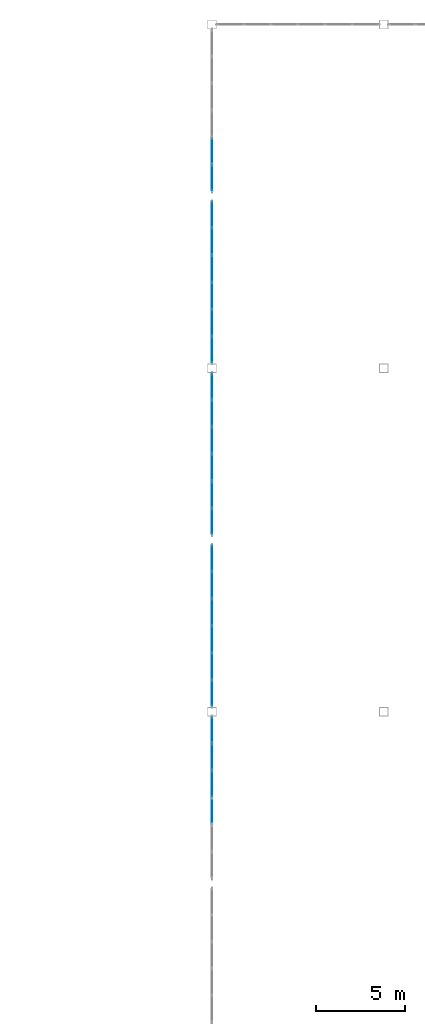
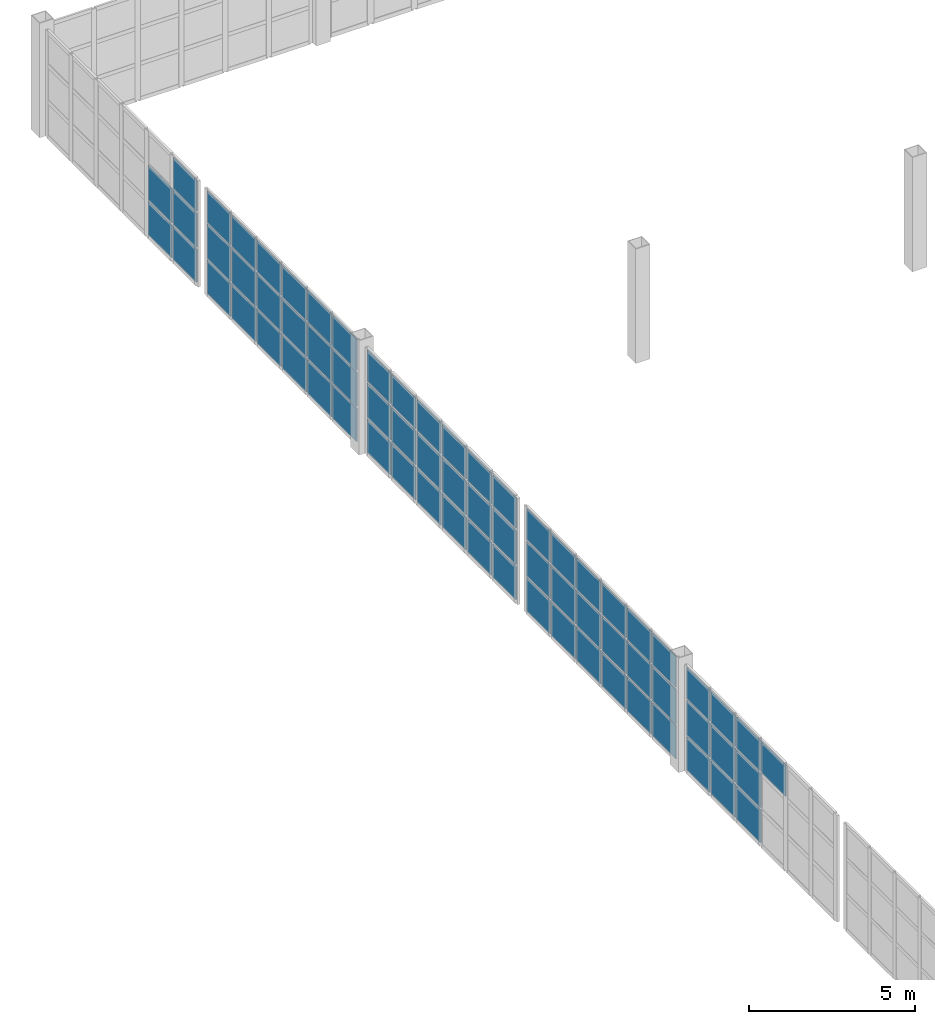
# One storey, part 55 of 82: 69 plates, 5 elements without a shape of their own.
"""IFC4 building model written with IfcOpenShell, lengths in metres."""

from ifc_helpers import new_model, si_unit, direction, frame, origin, origin_2d, place, context, subcontext, project, spatial, rectangle, extrude, material, layer, layer_set, type_object, element, aggregate, save


model = new_model("IFC4")

# Units and contexts
model_context = context("Model", 3, precision=1e-05, world=origin(), true_north=direction((0.0, 1.0)))
body_context = subcontext(model_context, "Body", "Model", "MODEL_VIEW")
ifc_project = project(units=[si_unit("LENGTHUNIT", "METRE"), si_unit("AREAUNIT", "SQUARE_METRE"), si_unit("VOLUMEUNIT", "CUBIC_METRE"), si_unit("PLANEANGLEUNIT", "RADIAN"), si_unit("MASSUNIT", "GRAM", prefix="KILO")], contexts=[model_context])

# Site, building, storey
site_placement = place(None, origin())
site = spatial("IfcSite", under=ifc_project, at=site_placement, CompositionType="ELEMENT")
building_placement = place(site_placement, origin())
building = spatial("IfcBuilding", under=site, at=building_placement, Name="Zarnetskaya Central Station", CompositionType="ELEMENT")
storey_placement = place(building_placement, frame((0.0, 0.0, 10.199951171875)))
storey = spatial("IfcBuildingStorey", under=building, at=storey_placement, Name="L02", CompositionType="ELEMENT", Elevation=10.199951171875)

# Curtain wall, plates
ifc_material = material(Name="Low-E insulated glass", Category="glass")
ifc_layer_1 = layer(ifc_material, 0.1640625, Name="Low-E insulated glass", Category="glass")
ifc_layer_set_1 = layer_set([ifc_layer_1], Name="Low-E insulated glass")
curtain_wall_type = type_object("IfcCurtainWallType", Name="CW-SYS-12", PredefinedType="USERDEFINED", material=ifc_layer_set_1)
curtain_wall_1_placement = place(storey_placement, origin())
curtain_wall_1 = element("IfcCurtainWall", 1, at=curtain_wall_1_placement, inside=storey, type_object=curtain_wall_type, Name="Curtain wall CW-L02-165", ObjectType="CURTAIN WALL", PredefinedType="USERDEFINED")
ifc_layer_2 = layer(ifc_material, 0.028076171875, Name="Low-E insulated glass", Category="glass")
ifc_layer_set_2 = layer_set([ifc_layer_2], Name="Low-E insulated glass")
plate_type_1 = type_object("IfcPlateType", Name="CW-PAN-28", PredefinedType="CURTAIN_PANEL", material=ifc_layer_set_2)
plate_1_placement = place(storey_placement, frame((57.60009765625, 87.42578125, 0.0703125), z_axis=(0.0, 0.0, 1.0), x_axis=(0.0, 1.0, 0.0)))
plate_1 = element("IfcPlate", 2, at=plate_1_placement, type_object=plate_type_1, Name="CW-18 panel 1.1", PredefinedType="CURTAIN_PANEL", context=body_context, shape_type="SweptSolid", body=[
    extrude(rectangle(XDim=1.41162109375, YDim=0.028076171875, at=origin_2d()), origin(), (0.0, 0.0, 1.0), 1.220947265625),
])
plate_2_placement = place(storey_placement, frame((57.60009765625, 87.42578125, 1.36083984375), z_axis=(0.0, 0.0, 1.0), x_axis=(0.0, 1.0, 0.0)))
plate_2 = element("IfcPlate", 3, at=plate_2_placement, type_object=plate_type_1, Name="CW-18 panel 1.2", PredefinedType="CURTAIN_PANEL", context=body_context, shape_type="SweptSolid", body=[
    extrude(rectangle(XDim=1.41162109375, YDim=0.028076171875, at=origin_2d()), origin(), (0.0, 0.0, 1.0), 1.256103515625),
])
plate_3_placement = place(storey_placement, frame((57.60009765625, 87.42578125, 2.68701171875), z_axis=(0.0, 0.0, 1.0), x_axis=(0.0, 1.0, 0.0)))
plate_3 = element("IfcPlate", 4, at=plate_3_placement, type_object=plate_type_1, Name="CW-18 panel 1.3", PredefinedType="CURTAIN_PANEL", context=body_context, shape_type="SweptSolid", body=[
    extrude(rectangle(XDim=1.41162109375, YDim=0.028076171875, at=origin_2d()), origin(), (0.0, 0.0, 1.0), 1.14306640625),
])
plate_4_placement = place(storey_placement, frame((57.60009765625, 88.925048828125, 0.0703125), z_axis=(0.0, 0.0, 1.0), x_axis=(0.0, 1.0, 0.0)))
plate_4 = element("IfcPlate", 5, at=plate_4_placement, type_object=plate_type_1, Name="CW-18 panel 2.1", PredefinedType="CURTAIN_PANEL", context=body_context, shape_type="SweptSolid", body=[
    extrude(rectangle(XDim=1.44677734375, YDim=0.028076171875, at=origin_2d()), origin(), (0.0, 0.0, 1.0), 1.220947265625),
])
plate_5_placement = place(storey_placement, frame((57.60009765625, 88.925048828125, 1.36083984375), z_axis=(0.0, 0.0, 1.0), x_axis=(0.0, 1.0, 0.0)))
plate_5 = element("IfcPlate", 6, at=plate_5_placement, type_object=plate_type_1, Name="CW-18 panel 2.2", PredefinedType="CURTAIN_PANEL", context=body_context, shape_type="SweptSolid", body=[
    extrude(rectangle(XDim=1.44677734375, YDim=0.028076171875, at=origin_2d()), origin(), (0.0, 0.0, 1.0), 1.256103515625),
])
plate_6_placement = place(storey_placement, frame((57.60009765625, 88.925048828125, 2.68701171875), z_axis=(0.0, 0.0, 1.0), x_axis=(0.0, 1.0, 0.0)))
plate_6 = element("IfcPlate", 7, at=plate_6_placement, type_object=plate_type_1, Name="CW-18 panel 2.3", PredefinedType="CURTAIN_PANEL", context=body_context, shape_type="SweptSolid", body=[
    extrude(rectangle(XDim=1.44677734375, YDim=0.028076171875, at=origin_2d()), origin(), (0.0, 0.0, 1.0), 1.14306640625),
])
plate_7_placement = place(storey_placement, frame((57.60009765625, 90.441650390625, 0.0703125), z_axis=(0.0, 0.0, 1.0), x_axis=(0.0, 1.0, 0.0)))
plate_7 = element("IfcPlate", 8, at=plate_7_placement, type_object=plate_type_1, Name="CW-18 panel 3.1", PredefinedType="CURTAIN_PANEL", context=body_context, shape_type="SweptSolid", body=[
    extrude(rectangle(XDim=1.44677734375, YDim=0.028076171875, at=origin_2d()), origin(), (0.0, 0.0, 1.0), 1.220947265625),
])
plate_8_placement = place(storey_placement, frame((57.60009765625, 90.441650390625, 1.36083984375), z_axis=(0.0, 0.0, 1.0), x_axis=(0.0, 1.0, 0.0)))
plate_8 = element("IfcPlate", 9, at=plate_8_placement, type_object=plate_type_1, Name="CW-18 panel 3.2", PredefinedType="CURTAIN_PANEL", context=body_context, shape_type="SweptSolid", body=[
    extrude(rectangle(XDim=1.44677734375, YDim=0.028076171875, at=origin_2d()), origin(), (0.0, 0.0, 1.0), 1.256103515625),
])
plate_9_placement = place(storey_placement, frame((57.60009765625, 90.441650390625, 2.68701171875), z_axis=(0.0, 0.0, 1.0), x_axis=(0.0, 1.0, 0.0)))
plate_9 = element("IfcPlate", 10, at=plate_9_placement, type_object=plate_type_1, Name="CW-18 panel 3.3", PredefinedType="CURTAIN_PANEL", context=body_context, shape_type="SweptSolid", body=[
    extrude(rectangle(XDim=1.44677734375, YDim=0.028076171875, at=origin_2d()), origin(), (0.0, 0.0, 1.0), 1.14306640625),
])
plate_10_placement = place(storey_placement, frame((57.60009765625, 91.958251953125, 0.0703125), z_axis=(0.0, 0.0, 1.0), x_axis=(0.0, 1.0, 0.0)))
plate_10 = element("IfcPlate", 11, at=plate_10_placement, type_object=plate_type_1, Name="CW-18 panel 4.1", PredefinedType="CURTAIN_PANEL", context=body_context, shape_type="SweptSolid", body=[
    extrude(rectangle(XDim=1.44677734375, YDim=0.028076171875, at=origin_2d()), origin(), (0.0, 0.0, 1.0), 1.220947265625),
])
plate_11_placement = place(storey_placement, frame((57.60009765625, 91.958251953125, 1.36083984375), z_axis=(0.0, 0.0, 1.0), x_axis=(0.0, 1.0, 0.0)))
plate_11 = element("IfcPlate", 12, at=plate_11_placement, type_object=plate_type_1, Name="CW-18 panel 4.2", PredefinedType="CURTAIN_PANEL", context=body_context, shape_type="SweptSolid", body=[
    extrude(rectangle(XDim=1.44677734375, YDim=0.028076171875, at=origin_2d()), origin(), (0.0, 0.0, 1.0), 1.256103515625),
])
plate_12_placement = place(storey_placement, frame((57.60009765625, 91.958251953125, 2.68701171875), z_axis=(0.0, 0.0, 1.0), x_axis=(0.0, 1.0, 0.0)))
plate_12 = element("IfcPlate", 13, at=plate_12_placement, type_object=plate_type_1, Name="CW-18 panel 4.3", PredefinedType="CURTAIN_PANEL", context=body_context, shape_type="SweptSolid", body=[
    extrude(rectangle(XDim=1.44677734375, YDim=0.028076171875, at=origin_2d()), origin(), (0.0, 0.0, 1.0), 1.14306640625),
])
plate_13_placement = place(storey_placement, frame((57.60009765625, 93.47509765625, 0.0703125), z_axis=(0.0, 0.0, 1.0), x_axis=(0.0, 1.0, 0.0)))
plate_13 = element("IfcPlate", 14, at=plate_13_placement, type_object=plate_type_1, Name="CW-18 panel 5.1", PredefinedType="CURTAIN_PANEL", context=body_context, shape_type="SweptSolid", body=[
    extrude(rectangle(XDim=1.44677734375, YDim=0.028076171875, at=origin_2d()), origin(), (0.0, 0.0, 1.0), 1.220947265625),
])
plate_14_placement = place(storey_placement, frame((57.60009765625, 93.47509765625, 1.36083984375), z_axis=(0.0, 0.0, 1.0), x_axis=(0.0, 1.0, 0.0)))
plate_14 = element("IfcPlate", 15, at=plate_14_placement, type_object=plate_type_1, Name="CW-18 panel 5.2", PredefinedType="CURTAIN_PANEL", context=body_context, shape_type="SweptSolid", body=[
    extrude(rectangle(XDim=1.44677734375, YDim=0.028076171875, at=origin_2d()), origin(), (0.0, 0.0, 1.0), 1.256103515625),
])
plate_15_placement = place(storey_placement, frame((57.60009765625, 93.47509765625, 2.68701171875), z_axis=(0.0, 0.0, 1.0), x_axis=(0.0, 1.0, 0.0)))
plate_15 = element("IfcPlate", 16, at=plate_15_placement, type_object=plate_type_1, Name="CW-18 panel 5.3", PredefinedType="CURTAIN_PANEL", context=body_context, shape_type="SweptSolid", body=[
    extrude(rectangle(XDim=1.44677734375, YDim=0.028076171875, at=origin_2d()), origin(), (0.0, 0.0, 1.0), 1.14306640625),
])
plate_16_placement = place(storey_placement, frame((57.60009765625, 94.97412109375, 0.0703125), z_axis=(0.0, 0.0, 1.0), x_axis=(0.0, 1.0, 0.0)))
plate_16 = element("IfcPlate", 17, at=plate_16_placement, type_object=plate_type_1, Name="CW-18 panel 6.1", PredefinedType="CURTAIN_PANEL", context=body_context, shape_type="SweptSolid", body=[
    extrude(rectangle(XDim=1.41162109375, YDim=0.028076171875, at=origin_2d()), origin(), (0.0, 0.0, 1.0), 1.220947265625),
])
plate_17_placement = place(storey_placement, frame((57.60009765625, 94.97412109375, 1.36083984375), z_axis=(0.0, 0.0, 1.0), x_axis=(0.0, 1.0, 0.0)))
plate_17 = element("IfcPlate", 18, at=plate_17_placement, type_object=plate_type_1, Name="CW-18 panel 6.2", PredefinedType="CURTAIN_PANEL", context=body_context, shape_type="SweptSolid", body=[
    extrude(rectangle(XDim=1.41162109375, YDim=0.028076171875, at=origin_2d()), origin(), (0.0, 0.0, 1.0), 1.256103515625),
])
plate_18_placement = place(storey_placement, frame((57.60009765625, 94.97412109375, 2.68701171875), z_axis=(0.0, 0.0, 1.0), x_axis=(0.0, 1.0, 0.0)))
plate_18 = element("IfcPlate", 19, at=plate_18_placement, type_object=plate_type_1, Name="CW-18 panel 6.3", PredefinedType="CURTAIN_PANEL", context=body_context, shape_type="SweptSolid", body=[
    extrude(rectangle(XDim=1.41162109375, YDim=0.028076171875, at=origin_2d()), origin(), (0.0, 0.0, 1.0), 1.14306640625),
])
aggregate(curtain_wall_1, [plate_1, plate_2, plate_3, plate_4, plate_5, plate_6, plate_7, plate_8, plate_9, plate_10, plate_11, plate_12, plate_13, plate_14, plate_15, plate_16, plate_17, plate_18])

curtain_wall_2_placement = place(storey_placement, origin())
curtain_wall_2 = element("IfcCurtainWall", 20, at=curtain_wall_2_placement, inside=storey, type_object=curtain_wall_type, Name="Curtain wall CW-L02-166", ObjectType="CURTAIN WALL", PredefinedType="USERDEFINED")
ifc_layer_3 = layer(ifc_material, 0.031982421875, Name="Low-E insulated glass", Category="glass")
ifc_layer_set_3 = layer_set([ifc_layer_3], Name="Low-E insulated glass")
plate_type_2 = type_object("IfcPlateType", Name="CW-PAN-32", PredefinedType="CURTAIN_PANEL", material=ifc_layer_set_3)
plate_19_placement = place(storey_placement, frame((57.60009765625, 97.0283203125, 0.080078125), z_axis=(0.0, 0.0, 1.0), x_axis=(0.0, 1.0, 0.0)))
plate_19 = element("IfcPlate", 21, at=plate_19_placement, type_object=plate_type_2, Name="CW-18 panel 1.1", PredefinedType="CURTAIN_PANEL", context=body_context, shape_type="SweptSolid", body=[
    extrude(rectangle(XDim=1.396728515625, YDim=0.031982421875, at=origin_2d()), origin(), (0.0, 0.0, 1.0), 1.2060546875),
])
plate_20_placement = place(storey_placement, frame((57.60009765625, 97.0283203125, 1.365966796875), z_axis=(0.0, 0.0, 1.0), x_axis=(0.0, 1.0, 0.0)))
plate_20 = element("IfcPlate", 22, at=plate_20_placement, type_object=plate_type_2, Name="CW-18 panel 1.2", PredefinedType="CURTAIN_PANEL", context=body_context, shape_type="SweptSolid", body=[
    extrude(rectangle(XDim=1.396728515625, YDim=0.031982421875, at=origin_2d()), origin(), (0.0, 0.0, 1.0), 1.24609375),
])
plate_21_placement = place(storey_placement, frame((57.60009765625, 97.0283203125, 2.692138671875), z_axis=(0.0, 0.0, 1.0), x_axis=(0.0, 1.0, 0.0)))
plate_21 = element("IfcPlate", 23, at=plate_21_placement, type_object=plate_type_2, Name="CW-18 panel 1.3", PredefinedType="CURTAIN_PANEL", context=body_context, shape_type="SweptSolid", body=[
    extrude(rectangle(XDim=1.396728515625, YDim=0.031982421875, at=origin_2d()), origin(), (0.0, 0.0, 1.0), 1.1279296875),
])
plate_22_placement = place(storey_placement, frame((57.60009765625, 98.52490234375, 0.080078125), z_axis=(0.0, 0.0, 1.0), x_axis=(0.0, 1.0, 0.0)))
plate_22 = element("IfcPlate", 24, at=plate_22_placement, type_object=plate_type_2, Name="CW-18 panel 2.1", PredefinedType="CURTAIN_PANEL", context=body_context, shape_type="SweptSolid", body=[
    extrude(rectangle(XDim=1.436767578125, YDim=0.031982421875, at=origin_2d()), origin(), (0.0, 0.0, 1.0), 1.2060546875),
])
plate_23_placement = place(storey_placement, frame((57.60009765625, 98.52490234375, 1.365966796875), z_axis=(0.0, 0.0, 1.0), x_axis=(0.0, 1.0, 0.0)))
plate_23 = element("IfcPlate", 25, at=plate_23_placement, type_object=plate_type_2, Name="CW-18 panel 2.2", PredefinedType="CURTAIN_PANEL", context=body_context, shape_type="SweptSolid", body=[
    extrude(rectangle(XDim=1.436767578125, YDim=0.031982421875, at=origin_2d()), origin(), (0.0, 0.0, 1.0), 1.24609375),
])
plate_24_placement = place(storey_placement, frame((57.60009765625, 98.52490234375, 2.692138671875), z_axis=(0.0, 0.0, 1.0), x_axis=(0.0, 1.0, 0.0)))
plate_24 = element("IfcPlate", 26, at=plate_24_placement, type_object=plate_type_2, Name="CW-18 panel 2.3", PredefinedType="CURTAIN_PANEL", context=body_context, shape_type="SweptSolid", body=[
    extrude(rectangle(XDim=1.436767578125, YDim=0.031982421875, at=origin_2d()), origin(), (0.0, 0.0, 1.0), 1.1279296875),
])
plate_25_placement = place(storey_placement, frame((57.60009765625, 100.041748046875, 0.080078125), z_axis=(0.0, 0.0, 1.0), x_axis=(0.0, 1.0, 0.0)))
plate_25 = element("IfcPlate", 27, at=plate_25_placement, type_object=plate_type_2, Name="CW-18 panel 3.1", PredefinedType="CURTAIN_PANEL", context=body_context, shape_type="SweptSolid", body=[
    extrude(rectangle(XDim=1.436767578125, YDim=0.031982421875, at=origin_2d()), origin(), (0.0, 0.0, 1.0), 1.2060546875),
])
plate_26_placement = place(storey_placement, frame((57.60009765625, 100.041748046875, 1.365966796875), z_axis=(0.0, 0.0, 1.0), x_axis=(0.0, 1.0, 0.0)))
plate_26 = element("IfcPlate", 28, at=plate_26_placement, type_object=plate_type_2, Name="CW-18 panel 3.2", PredefinedType="CURTAIN_PANEL", context=body_context, shape_type="SweptSolid", body=[
    extrude(rectangle(XDim=1.436767578125, YDim=0.031982421875, at=origin_2d()), origin(), (0.0, 0.0, 1.0), 1.24609375),
])
plate_27_placement = place(storey_placement, frame((57.60009765625, 100.041748046875, 2.692138671875), z_axis=(0.0, 0.0, 1.0), x_axis=(0.0, 1.0, 0.0)))
plate_27 = element("IfcPlate", 29, at=plate_27_placement, type_object=plate_type_2, Name="CW-18 panel 3.3", PredefinedType="CURTAIN_PANEL", context=body_context, shape_type="SweptSolid", body=[
    extrude(rectangle(XDim=1.436767578125, YDim=0.031982421875, at=origin_2d()), origin(), (0.0, 0.0, 1.0), 1.1279296875),
])
plate_28_placement = place(storey_placement, frame((57.60009765625, 101.558349609375, 0.080078125), z_axis=(0.0, 0.0, 1.0), x_axis=(0.0, 1.0, 0.0)))
plate_28 = element("IfcPlate", 30, at=plate_28_placement, type_object=plate_type_2, Name="CW-18 panel 4.1", PredefinedType="CURTAIN_PANEL", context=body_context, shape_type="SweptSolid", body=[
    extrude(rectangle(XDim=1.436767578125, YDim=0.031982421875, at=origin_2d()), origin(), (0.0, 0.0, 1.0), 1.2060546875),
])
plate_29_placement = place(storey_placement, frame((57.60009765625, 101.558349609375, 1.365966796875), z_axis=(0.0, 0.0, 1.0), x_axis=(0.0, 1.0, 0.0)))
plate_29 = element("IfcPlate", 31, at=plate_29_placement, type_object=plate_type_2, Name="CW-18 panel 4.2", PredefinedType="CURTAIN_PANEL", context=body_context, shape_type="SweptSolid", body=[
    extrude(rectangle(XDim=1.436767578125, YDim=0.031982421875, at=origin_2d()), origin(), (0.0, 0.0, 1.0), 1.24609375),
])
plate_30_placement = place(storey_placement, frame((57.60009765625, 101.558349609375, 2.692138671875), z_axis=(0.0, 0.0, 1.0), x_axis=(0.0, 1.0, 0.0)))
plate_30 = element("IfcPlate", 32, at=plate_30_placement, type_object=plate_type_2, Name="CW-18 panel 4.3", PredefinedType="CURTAIN_PANEL", context=body_context, shape_type="SweptSolid", body=[
    extrude(rectangle(XDim=1.436767578125, YDim=0.031982421875, at=origin_2d()), origin(), (0.0, 0.0, 1.0), 1.1279296875),
])
plate_31_placement = place(storey_placement, frame((57.60009765625, 103.074951171875, 0.080078125), z_axis=(0.0, 0.0, 1.0), x_axis=(0.0, 1.0, 0.0)))
plate_31 = element("IfcPlate", 33, at=plate_31_placement, type_object=plate_type_2, Name="CW-18 panel 5.1", PredefinedType="CURTAIN_PANEL", context=body_context, shape_type="SweptSolid", body=[
    extrude(rectangle(XDim=1.436767578125, YDim=0.031982421875, at=origin_2d()), origin(), (0.0, 0.0, 1.0), 1.2060546875),
])
plate_32_placement = place(storey_placement, frame((57.60009765625, 103.074951171875, 1.365966796875), z_axis=(0.0, 0.0, 1.0), x_axis=(0.0, 1.0, 0.0)))
plate_32 = element("IfcPlate", 34, at=plate_32_placement, type_object=plate_type_2, Name="CW-18 panel 5.2", PredefinedType="CURTAIN_PANEL", context=body_context, shape_type="SweptSolid", body=[
    extrude(rectangle(XDim=1.436767578125, YDim=0.031982421875, at=origin_2d()), origin(), (0.0, 0.0, 1.0), 1.24609375),
])
plate_33_placement = place(storey_placement, frame((57.60009765625, 103.074951171875, 2.692138671875), z_axis=(0.0, 0.0, 1.0), x_axis=(0.0, 1.0, 0.0)))
plate_33 = element("IfcPlate", 35, at=plate_33_placement, type_object=plate_type_2, Name="CW-18 panel 5.3", PredefinedType="CURTAIN_PANEL", context=body_context, shape_type="SweptSolid", body=[
    extrude(rectangle(XDim=1.436767578125, YDim=0.031982421875, at=origin_2d()), origin(), (0.0, 0.0, 1.0), 1.1279296875),
])
plate_34_placement = place(storey_placement, frame((57.60009765625, 104.57177734375, 0.080078125), z_axis=(0.0, 0.0, 1.0), x_axis=(0.0, 1.0, 0.0)))
plate_34 = element("IfcPlate", 36, at=plate_34_placement, type_object=plate_type_2, Name="CW-18 panel 6.1", PredefinedType="CURTAIN_PANEL", context=body_context, shape_type="SweptSolid", body=[
    extrude(rectangle(XDim=1.396728515625, YDim=0.031982421875, at=origin_2d()), origin(), (0.0, 0.0, 1.0), 1.2060546875),
])
plate_35_placement = place(storey_placement, frame((57.60009765625, 104.57177734375, 1.365966796875), z_axis=(0.0, 0.0, 1.0), x_axis=(0.0, 1.0, 0.0)))
plate_35 = element("IfcPlate", 37, at=plate_35_placement, type_object=plate_type_2, Name="CW-18 panel 6.2", PredefinedType="CURTAIN_PANEL", context=body_context, shape_type="SweptSolid", body=[
    extrude(rectangle(XDim=1.396728515625, YDim=0.031982421875, at=origin_2d()), origin(), (0.0, 0.0, 1.0), 1.24609375),
])
plate_36_placement = place(storey_placement, frame((57.60009765625, 104.57177734375, 2.692138671875), z_axis=(0.0, 0.0, 1.0), x_axis=(0.0, 1.0, 0.0)))
plate_36 = element("IfcPlate", 38, at=plate_36_placement, type_object=plate_type_2, Name="CW-18 panel 6.3", PredefinedType="CURTAIN_PANEL", context=body_context, shape_type="SweptSolid", body=[
    extrude(rectangle(XDim=1.396728515625, YDim=0.031982421875, at=origin_2d()), origin(), (0.0, 0.0, 1.0), 1.1279296875),
])
aggregate(curtain_wall_2, [plate_19, plate_20, plate_21, plate_22, plate_23, plate_24, plate_25, plate_26, plate_27, plate_28, plate_29, plate_30, plate_31, plate_32, plate_33, plate_34, plate_35, plate_36])

curtain_wall_3_placement = place(storey_placement, origin())
curtain_wall_3 = element("IfcCurtainWall", 39, at=curtain_wall_3_placement, inside=storey, type_object=curtain_wall_type, Name="Curtain wall CW-L02-167", ObjectType="CURTAIN WALL", PredefinedType="USERDEFINED")
ifc_layer_4 = layer(ifc_material, 0.035888671875, Name="Low-E insulated glass", Category="glass")
ifc_layer_set_4 = layer_set([ifc_layer_4], Name="Low-E insulated glass")
plate_type_3 = type_object("IfcPlateType", Name="CW-PAN-36", PredefinedType="CURTAIN_PANEL", material=ifc_layer_set_4)
plate_37_placement = place(storey_placement, frame((57.60009765625, 106.625732421875, 0.0703125), z_axis=(0.0, 0.0, 1.0), x_axis=(0.0, 1.0, 0.0)))
plate_37 = element("IfcPlate", 40, at=plate_37_placement, type_object=plate_type_3, Name="CW-18 panel 1.1", PredefinedType="CURTAIN_PANEL", context=body_context, shape_type="SweptSolid", body=[
    extrude(rectangle(XDim=1.41162109375, YDim=0.035888671875, at=origin_2d()), origin(), (0.0, 0.0, 1.0), 1.220947265625),
])
plate_38_placement = place(storey_placement, frame((57.60009765625, 106.625732421875, 1.36083984375), z_axis=(0.0, 0.0, 1.0), x_axis=(0.0, 1.0, 0.0)))
plate_38 = element("IfcPlate", 41, at=plate_38_placement, type_object=plate_type_3, Name="CW-18 panel 1.2", PredefinedType="CURTAIN_PANEL", context=body_context, shape_type="SweptSolid", body=[
    extrude(rectangle(XDim=1.41162109375, YDim=0.035888671875, at=origin_2d()), origin(), (0.0, 0.0, 1.0), 1.256103515625),
])
plate_39_placement = place(storey_placement, frame((57.60009765625, 106.625732421875, 2.68701171875), z_axis=(0.0, 0.0, 1.0), x_axis=(0.0, 1.0, 0.0)))
plate_39 = element("IfcPlate", 42, at=plate_39_placement, type_object=plate_type_3, Name="CW-18 panel 1.3", PredefinedType="CURTAIN_PANEL", context=body_context, shape_type="SweptSolid", body=[
    extrude(rectangle(XDim=1.41162109375, YDim=0.035888671875, at=origin_2d()), origin(), (0.0, 0.0, 1.0), 1.14306640625),
])
plate_40_placement = place(storey_placement, frame((57.60009765625, 108.125, 0.0703125), z_axis=(0.0, 0.0, 1.0), x_axis=(0.0, 1.0, 0.0)))
plate_40 = element("IfcPlate", 43, at=plate_40_placement, type_object=plate_type_3, Name="CW-18 panel 2.1", PredefinedType="CURTAIN_PANEL", context=body_context, shape_type="SweptSolid", body=[
    extrude(rectangle(XDim=1.44677734375, YDim=0.035888671875, at=origin_2d()), origin(), (0.0, 0.0, 1.0), 1.220947265625),
])
plate_41_placement = place(storey_placement, frame((57.60009765625, 108.125, 1.36083984375), z_axis=(0.0, 0.0, 1.0), x_axis=(0.0, 1.0, 0.0)))
plate_41 = element("IfcPlate", 44, at=plate_41_placement, type_object=plate_type_3, Name="CW-18 panel 2.2", PredefinedType="CURTAIN_PANEL", context=body_context, shape_type="SweptSolid", body=[
    extrude(rectangle(XDim=1.44677734375, YDim=0.035888671875, at=origin_2d()), origin(), (0.0, 0.0, 1.0), 1.256103515625),
])
plate_42_placement = place(storey_placement, frame((57.60009765625, 108.125, 2.68701171875), z_axis=(0.0, 0.0, 1.0), x_axis=(0.0, 1.0, 0.0)))
plate_42 = element("IfcPlate", 45, at=plate_42_placement, type_object=plate_type_3, Name="CW-18 panel 2.3", PredefinedType="CURTAIN_PANEL", context=body_context, shape_type="SweptSolid", body=[
    extrude(rectangle(XDim=1.44677734375, YDim=0.035888671875, at=origin_2d()), origin(), (0.0, 0.0, 1.0), 1.14306640625),
])
plate_43_placement = place(storey_placement, frame((57.60009765625, 109.6416015625, 0.0703125), z_axis=(0.0, 0.0, 1.0), x_axis=(0.0, 1.0, 0.0)))
plate_43 = element("IfcPlate", 46, at=plate_43_placement, type_object=plate_type_3, Name="CW-18 panel 3.1", PredefinedType="CURTAIN_PANEL", context=body_context, shape_type="SweptSolid", body=[
    extrude(rectangle(XDim=1.44677734375, YDim=0.035888671875, at=origin_2d()), origin(), (0.0, 0.0, 1.0), 1.220947265625),
])
plate_44_placement = place(storey_placement, frame((57.60009765625, 109.6416015625, 1.36083984375), z_axis=(0.0, 0.0, 1.0), x_axis=(0.0, 1.0, 0.0)))
plate_44 = element("IfcPlate", 47, at=plate_44_placement, type_object=plate_type_3, Name="CW-18 panel 3.2", PredefinedType="CURTAIN_PANEL", context=body_context, shape_type="SweptSolid", body=[
    extrude(rectangle(XDim=1.44677734375, YDim=0.035888671875, at=origin_2d()), origin(), (0.0, 0.0, 1.0), 1.256103515625),
])
plate_45_placement = place(storey_placement, frame((57.60009765625, 109.6416015625, 2.68701171875), z_axis=(0.0, 0.0, 1.0), x_axis=(0.0, 1.0, 0.0)))
plate_45 = element("IfcPlate", 48, at=plate_45_placement, type_object=plate_type_3, Name="CW-18 panel 3.3", PredefinedType="CURTAIN_PANEL", context=body_context, shape_type="SweptSolid", body=[
    extrude(rectangle(XDim=1.44677734375, YDim=0.035888671875, at=origin_2d()), origin(), (0.0, 0.0, 1.0), 1.14306640625),
])
plate_46_placement = place(storey_placement, frame((57.60009765625, 111.158447265625, 0.0703125), z_axis=(0.0, 0.0, 1.0), x_axis=(0.0, 1.0, 0.0)))
plate_46 = element("IfcPlate", 49, at=plate_46_placement, type_object=plate_type_3, Name="CW-18 panel 4.1", PredefinedType="CURTAIN_PANEL", context=body_context, shape_type="SweptSolid", body=[
    extrude(rectangle(XDim=1.44677734375, YDim=0.035888671875, at=origin_2d()), origin(), (0.0, 0.0, 1.0), 1.220947265625),
])
plate_47_placement = place(storey_placement, frame((57.60009765625, 111.158447265625, 1.36083984375), z_axis=(0.0, 0.0, 1.0), x_axis=(0.0, 1.0, 0.0)))
plate_47 = element("IfcPlate", 50, at=plate_47_placement, type_object=plate_type_3, Name="CW-18 panel 4.2", PredefinedType="CURTAIN_PANEL", context=body_context, shape_type="SweptSolid", body=[
    extrude(rectangle(XDim=1.44677734375, YDim=0.035888671875, at=origin_2d()), origin(), (0.0, 0.0, 1.0), 1.256103515625),
])
plate_48_placement = place(storey_placement, frame((57.60009765625, 111.158447265625, 2.68701171875), z_axis=(0.0, 0.0, 1.0), x_axis=(0.0, 1.0, 0.0)))
plate_48 = element("IfcPlate", 51, at=plate_48_placement, type_object=plate_type_3, Name="CW-18 panel 4.3", PredefinedType="CURTAIN_PANEL", context=body_context, shape_type="SweptSolid", body=[
    extrude(rectangle(XDim=1.44677734375, YDim=0.035888671875, at=origin_2d()), origin(), (0.0, 0.0, 1.0), 1.14306640625),
])
plate_49_placement = place(storey_placement, frame((57.60009765625, 112.675048828125, 0.0703125), z_axis=(0.0, 0.0, 1.0), x_axis=(0.0, 1.0, 0.0)))
plate_49 = element("IfcPlate", 52, at=plate_49_placement, type_object=plate_type_3, Name="CW-18 panel 5.1", PredefinedType="CURTAIN_PANEL", context=body_context, shape_type="SweptSolid", body=[
    extrude(rectangle(XDim=1.44677734375, YDim=0.035888671875, at=origin_2d()), origin(), (0.0, 0.0, 1.0), 1.220947265625),
])
plate_50_placement = place(storey_placement, frame((57.60009765625, 112.675048828125, 1.36083984375), z_axis=(0.0, 0.0, 1.0), x_axis=(0.0, 1.0, 0.0)))
plate_50 = element("IfcPlate", 53, at=plate_50_placement, type_object=plate_type_3, Name="CW-18 panel 5.2", PredefinedType="CURTAIN_PANEL", context=body_context, shape_type="SweptSolid", body=[
    extrude(rectangle(XDim=1.44677734375, YDim=0.035888671875, at=origin_2d()), origin(), (0.0, 0.0, 1.0), 1.256103515625),
])
plate_51_placement = place(storey_placement, frame((57.60009765625, 112.675048828125, 2.68701171875), z_axis=(0.0, 0.0, 1.0), x_axis=(0.0, 1.0, 0.0)))
plate_51 = element("IfcPlate", 54, at=plate_51_placement, type_object=plate_type_3, Name="CW-18 panel 5.3", PredefinedType="CURTAIN_PANEL", context=body_context, shape_type="SweptSolid", body=[
    extrude(rectangle(XDim=1.44677734375, YDim=0.035888671875, at=origin_2d()), origin(), (0.0, 0.0, 1.0), 1.14306640625),
])
plate_52_placement = place(storey_placement, frame((57.60009765625, 114.174072265625, 0.0703125), z_axis=(0.0, 0.0, 1.0), x_axis=(0.0, 1.0, 0.0)))
plate_52 = element("IfcPlate", 55, at=plate_52_placement, type_object=plate_type_3, Name="CW-18 panel 6.1", PredefinedType="CURTAIN_PANEL", context=body_context, shape_type="SweptSolid", body=[
    extrude(rectangle(XDim=1.41162109375, YDim=0.035888671875, at=origin_2d()), origin(), (0.0, 0.0, 1.0), 1.220947265625),
])
plate_53_placement = place(storey_placement, frame((57.60009765625, 114.174072265625, 1.36083984375), z_axis=(0.0, 0.0, 1.0), x_axis=(0.0, 1.0, 0.0)))
plate_53 = element("IfcPlate", 56, at=plate_53_placement, type_object=plate_type_3, Name="CW-18 panel 6.2", PredefinedType="CURTAIN_PANEL", context=body_context, shape_type="SweptSolid", body=[
    extrude(rectangle(XDim=1.41162109375, YDim=0.035888671875, at=origin_2d()), origin(), (0.0, 0.0, 1.0), 1.256103515625),
])
plate_54_placement = place(storey_placement, frame((57.60009765625, 114.174072265625, 2.68701171875), z_axis=(0.0, 0.0, 1.0), x_axis=(0.0, 1.0, 0.0)))
plate_54 = element("IfcPlate", 57, at=plate_54_placement, type_object=plate_type_3, Name="CW-18 panel 6.3", PredefinedType="CURTAIN_PANEL", context=body_context, shape_type="SweptSolid", body=[
    extrude(rectangle(XDim=1.41162109375, YDim=0.035888671875, at=origin_2d()), origin(), (0.0, 0.0, 1.0), 1.14306640625),
])
aggregate(curtain_wall_3, [plate_37, plate_38, plate_39, plate_40, plate_41, plate_42, plate_43, plate_44, plate_45, plate_46, plate_47, plate_48, plate_49, plate_50, plate_51, plate_52, plate_53, plate_54])

curtain_wall_4_placement = place(storey_placement, origin())
curtain_wall_4 = element("IfcCurtainWall", 58, at=curtain_wall_4_placement, inside=storey, type_object=curtain_wall_type, Name="Curtain wall CW-L02-168", ObjectType="CURTAIN WALL", PredefinedType="USERDEFINED")
ifc_layer_5 = layer(ifc_material, 0.0400390625, Name="Low-E insulated glass", Category="glass")
ifc_layer_set_5 = layer_set([ifc_layer_5], Name="Low-E insulated glass")
plate_type_4 = type_object("IfcPlateType", Name="CW-PAN-40", PredefinedType="CURTAIN_PANEL", material=ifc_layer_set_5)
plate_55_placement = place(storey_placement, frame((57.60009765625, 116.228271484375, 0.080078125), z_axis=(0.0, 0.0, 1.0), x_axis=(0.0, 1.0, 0.0)))
plate_55 = element("IfcPlate", 59, at=plate_55_placement, type_object=plate_type_4, Name="CW-18 panel 1.1", PredefinedType="CURTAIN_PANEL", context=body_context, shape_type="SweptSolid", body=[
    extrude(rectangle(XDim=1.396728515625, YDim=0.0400390625, at=origin_2d()), origin(), (0.0, 0.0, 1.0), 1.2060546875),
])
plate_56_placement = place(storey_placement, frame((57.60009765625, 116.228271484375, 1.365966796875), z_axis=(0.0, 0.0, 1.0), x_axis=(0.0, 1.0, 0.0)))
plate_56 = element("IfcPlate", 60, at=plate_56_placement, type_object=plate_type_4, Name="CW-18 panel 1.2", PredefinedType="CURTAIN_PANEL", context=body_context, shape_type="SweptSolid", body=[
    extrude(rectangle(XDim=1.396728515625, YDim=0.0400390625, at=origin_2d()), origin(), (0.0, 0.0, 1.0), 1.24609375),
])
plate_57_placement = place(storey_placement, frame((57.60009765625, 116.228271484375, 2.692138671875), z_axis=(0.0, 0.0, 1.0), x_axis=(0.0, 1.0, 0.0)))
plate_57 = element("IfcPlate", 61, at=plate_57_placement, type_object=plate_type_4, Name="CW-18 panel 1.3", PredefinedType="CURTAIN_PANEL", context=body_context, shape_type="SweptSolid", body=[
    extrude(rectangle(XDim=1.396728515625, YDim=0.0400390625, at=origin_2d()), origin(), (0.0, 0.0, 1.0), 1.1279296875),
])
plate_58_placement = place(storey_placement, frame((57.60009765625, 117.72509765625, 0.080078125), z_axis=(0.0, 0.0, 1.0), x_axis=(0.0, 1.0, 0.0)))
plate_58 = element("IfcPlate", 62, at=plate_58_placement, type_object=plate_type_4, Name="CW-18 panel 2.1", PredefinedType="CURTAIN_PANEL", context=body_context, shape_type="SweptSolid", body=[
    extrude(rectangle(XDim=1.436767578125, YDim=0.0400390625, at=origin_2d()), origin(), (0.0, 0.0, 1.0), 1.2060546875),
])
plate_59_placement = place(storey_placement, frame((57.60009765625, 117.72509765625, 1.365966796875), z_axis=(0.0, 0.0, 1.0), x_axis=(0.0, 1.0, 0.0)))
plate_59 = element("IfcPlate", 63, at=plate_59_placement, type_object=plate_type_4, Name="CW-18 panel 2.2", PredefinedType="CURTAIN_PANEL", context=body_context, shape_type="SweptSolid", body=[
    extrude(rectangle(XDim=1.436767578125, YDim=0.0400390625, at=origin_2d()), origin(), (0.0, 0.0, 1.0), 1.24609375),
])
aggregate(curtain_wall_4, [plate_55, plate_56, plate_57, plate_58, plate_59])

curtain_wall_5_placement = place(storey_placement, origin())
curtain_wall_5 = element("IfcCurtainWall", 64, at=curtain_wall_5_placement, inside=storey, type_object=curtain_wall_type, Name="Curtain wall CW-L02-164", ObjectType="CURTAIN WALL", PredefinedType="USERDEFINED")
ifc_layer_6 = layer(ifc_material, 0.0439453125, Name="Low-E insulated glass", Category="glass")
ifc_layer_set_6 = layer_set([ifc_layer_6], Name="Low-E insulated glass")
plate_type_5 = type_object("IfcPlateType", Name="CW-PAN-44", PredefinedType="CURTAIN_PANEL", material=ifc_layer_set_6)
plate_60_placement = place(storey_placement, frame((57.60009765625, 80.841552734375, 2.692138671875), z_axis=(0.0, 0.0, 1.0), x_axis=(0.0, 1.0, 0.0)))
plate_60 = element("IfcPlate", 65, at=plate_60_placement, type_object=plate_type_5, Name="CW-18 panel 3.3", PredefinedType="CURTAIN_PANEL", context=body_context, shape_type="SweptSolid", body=[
    extrude(rectangle(XDim=1.436767578125, YDim=0.0439453125, at=origin_2d()), origin(), (0.0, 0.0, 1.0), 1.1279296875),
])
plate_61_placement = place(storey_placement, frame((57.60009765625, 82.3583984375, 0.080078125), z_axis=(0.0, 0.0, 1.0), x_axis=(0.0, 1.0, 0.0)))
plate_61 = element("IfcPlate", 66, at=plate_61_placement, type_object=plate_type_5, Name="CW-18 panel 4.1", PredefinedType="CURTAIN_PANEL", context=body_context, shape_type="SweptSolid", body=[
    extrude(rectangle(XDim=1.436767578125, YDim=0.0439453125, at=origin_2d()), origin(), (0.0, 0.0, 1.0), 1.2060546875),
])
plate_62_placement = place(storey_placement, frame((57.60009765625, 82.3583984375, 1.365966796875), z_axis=(0.0, 0.0, 1.0), x_axis=(0.0, 1.0, 0.0)))
plate_62 = element("IfcPlate", 67, at=plate_62_placement, type_object=plate_type_5, Name="CW-18 panel 4.2", PredefinedType="CURTAIN_PANEL", context=body_context, shape_type="SweptSolid", body=[
    extrude(rectangle(XDim=1.436767578125, YDim=0.0439453125, at=origin_2d()), origin(), (0.0, 0.0, 1.0), 1.24609375),
])
plate_63_placement = place(storey_placement, frame((57.60009765625, 82.3583984375, 2.692138671875), z_axis=(0.0, 0.0, 1.0), x_axis=(0.0, 1.0, 0.0)))
plate_63 = element("IfcPlate", 68, at=plate_63_placement, type_object=plate_type_5, Name="CW-18 panel 4.3", PredefinedType="CURTAIN_PANEL", context=body_context, shape_type="SweptSolid", body=[
    extrude(rectangle(XDim=1.436767578125, YDim=0.0439453125, at=origin_2d()), origin(), (0.0, 0.0, 1.0), 1.1279296875),
])
plate_64_placement = place(storey_placement, frame((57.60009765625, 83.875, 0.080078125), z_axis=(0.0, 0.0, 1.0), x_axis=(0.0, 1.0, 0.0)))
plate_64 = element("IfcPlate", 69, at=plate_64_placement, type_object=plate_type_5, Name="CW-18 panel 5.1", PredefinedType="CURTAIN_PANEL", context=body_context, shape_type="SweptSolid", body=[
    extrude(rectangle(XDim=1.436767578125, YDim=0.0439453125, at=origin_2d()), origin(), (0.0, 0.0, 1.0), 1.2060546875),
])
plate_65_placement = place(storey_placement, frame((57.60009765625, 83.875, 1.365966796875), z_axis=(0.0, 0.0, 1.0), x_axis=(0.0, 1.0, 0.0)))
plate_65 = element("IfcPlate", 70, at=plate_65_placement, type_object=plate_type_5, Name="CW-18 panel 5.2", PredefinedType="CURTAIN_PANEL", context=body_context, shape_type="SweptSolid", body=[
    extrude(rectangle(XDim=1.436767578125, YDim=0.0439453125, at=origin_2d()), origin(), (0.0, 0.0, 1.0), 1.24609375),
])
plate_66_placement = place(storey_placement, frame((57.60009765625, 83.875, 2.692138671875), z_axis=(0.0, 0.0, 1.0), x_axis=(0.0, 1.0, 0.0)))
plate_66 = element("IfcPlate", 71, at=plate_66_placement, type_object=plate_type_5, Name="CW-18 panel 5.3", PredefinedType="CURTAIN_PANEL", context=body_context, shape_type="SweptSolid", body=[
    extrude(rectangle(XDim=1.436767578125, YDim=0.0439453125, at=origin_2d()), origin(), (0.0, 0.0, 1.0), 1.1279296875),
])
plate_67_placement = place(storey_placement, frame((57.60009765625, 85.37158203125, 0.080078125), z_axis=(0.0, 0.0, 1.0), x_axis=(0.0, 1.0, 0.0)))
plate_67 = element("IfcPlate", 72, at=plate_67_placement, type_object=plate_type_5, Name="CW-18 panel 6.1", PredefinedType="CURTAIN_PANEL", context=body_context, shape_type="SweptSolid", body=[
    extrude(rectangle(XDim=1.396728515625, YDim=0.0439453125, at=origin_2d()), origin(), (0.0, 0.0, 1.0), 1.2060546875),
])
plate_68_placement = place(storey_placement, frame((57.60009765625, 85.37158203125, 1.365966796875), z_axis=(0.0, 0.0, 1.0), x_axis=(0.0, 1.0, 0.0)))
plate_68 = element("IfcPlate", 73, at=plate_68_placement, type_object=plate_type_5, Name="CW-18 panel 6.2", PredefinedType="CURTAIN_PANEL", context=body_context, shape_type="SweptSolid", body=[
    extrude(rectangle(XDim=1.396728515625, YDim=0.0439453125, at=origin_2d()), origin(), (0.0, 0.0, 1.0), 1.24609375),
])
plate_69_placement = place(storey_placement, frame((57.60009765625, 85.37158203125, 2.692138671875), z_axis=(0.0, 0.0, 1.0), x_axis=(0.0, 1.0, 0.0)))
plate_69 = element("IfcPlate", 74, at=plate_69_placement, type_object=plate_type_5, Name="CW-18 panel 6.3", PredefinedType="CURTAIN_PANEL", context=body_context, shape_type="SweptSolid", body=[
    extrude(rectangle(XDim=1.396728515625, YDim=0.0439453125, at=origin_2d()), origin(), (0.0, 0.0, 1.0), 1.1279296875),
])
aggregate(curtain_wall_5, [plate_60, plate_61, plate_62, plate_63, plate_64, plate_65, plate_66, plate_67, plate_68, plate_69])

save(model, "model.ifc")
